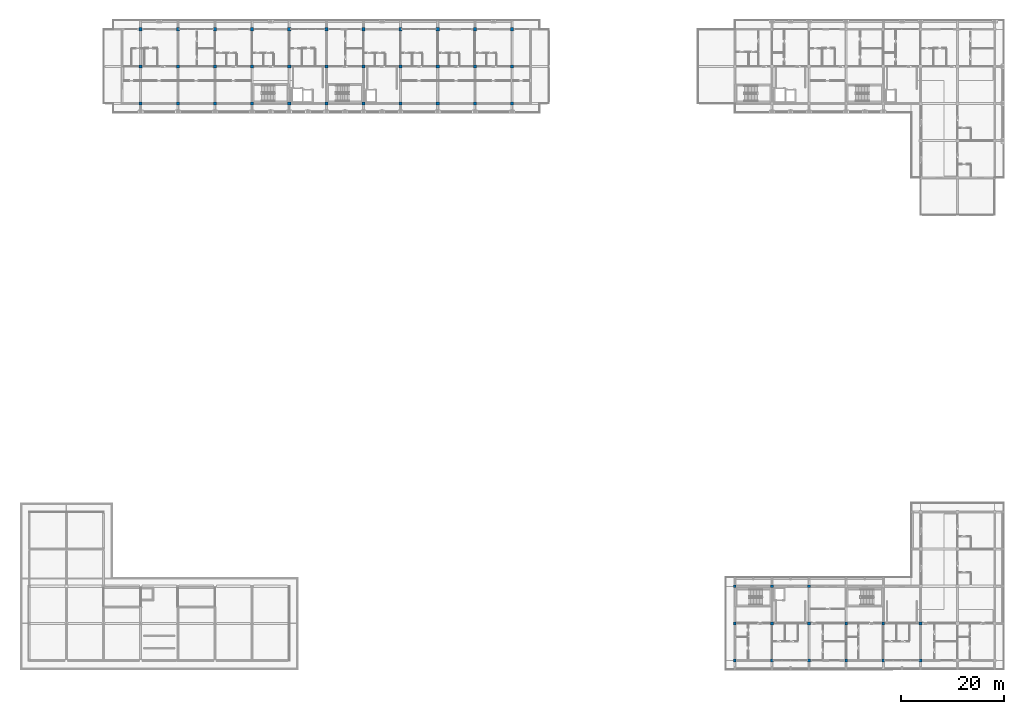
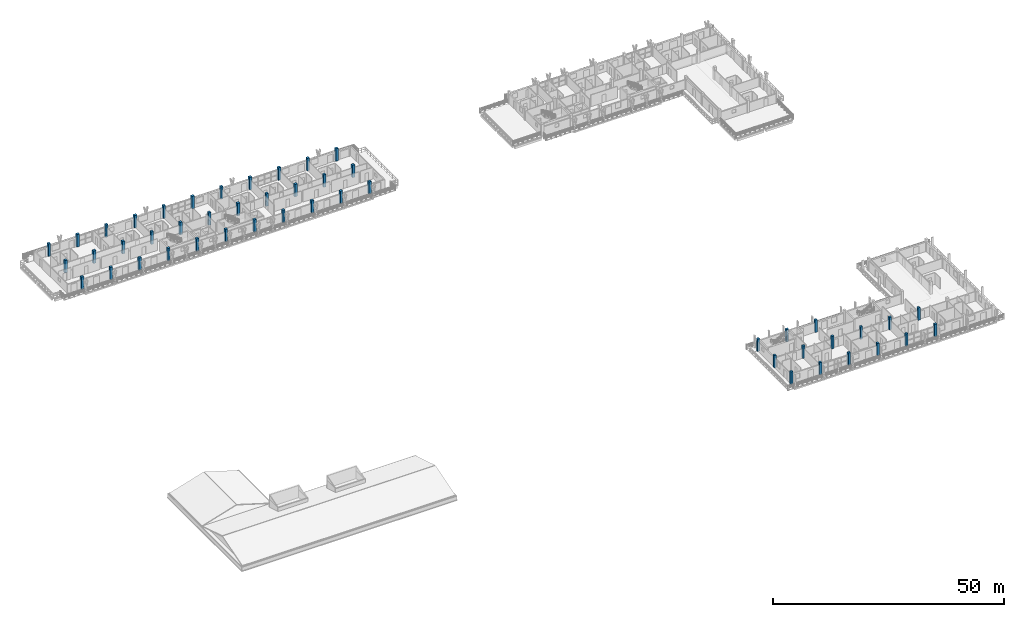
# One storey, part 3 of 60: 48 columns.
"""IFC4 building model written with IfcOpenShell, lengths in metres."""

from ifc_helpers import new_model, si_unit, direction, frame, origin, origin_2d, place, context, subcontext, project, spatial, rectangle, extrude, material, material_profile, profile_set, type_object, element, save


model = new_model("IFC4")

# Units and contexts
model_context = context("Model", 3, precision=1e-05, world=origin(), true_north=direction((0.0, 1.0)))
body_context = subcontext(model_context, "Body", "Model", "MODEL_VIEW")
ifc_project = project(units=[si_unit("LENGTHUNIT", "METRE"), si_unit("AREAUNIT", "SQUARE_METRE"), si_unit("VOLUMEUNIT", "CUBIC_METRE"), si_unit("PLANEANGLEUNIT", "RADIAN"), si_unit("MASSUNIT", "GRAM", prefix="KILO")], contexts=[model_context])

# Site, building, storey
site_placement = place(None, origin())
site = spatial("IfcSite", under=ifc_project, at=site_placement, CompositionType="ELEMENT")
building_placement = place(site_placement, origin())
building = spatial("IfcBuilding", under=site, at=building_placement, Name="Suanplinth Sawtooth Commons", CompositionType="ELEMENT")
storey_placement = place(building_placement, frame((0.0, 0.0, 31.5)))
storey = spatial("IfcBuildingStorey", under=building, at=storey_placement, Name="L09", CompositionType="ELEMENT", Elevation=31.5)

# Columns
ifc_material = material(Name="Precast concrete C40/50", Category="concrete")
ifc_material_profile_1 = material_profile(ifc_material, rectangle(XDim=0.60009765625, YDim=0.60009765625, at=origin_2d()), Name="PC-COL 600x600")
ifc_profile_set_1 = profile_set([ifc_material_profile_1], Name="Precast concrete C40/50")
column_type_1 = type_object("IfcColumnType", Name="C-04", PredefinedType="COLUMN", material=ifc_profile_set_1)
for number, where, z_axis, x_axis, name in (
    (1, (21.60009765625, 108.0, 0.0), (0.0, 0.0, 1.0), (1.0, 0.0, 0.0), "Column L09 4/R"),
    (2, (21.60009765625, 115.199951171875, 0.0), (0.0, 0.0, 1.0), (1.0, 0.0, 0.0), "Column L09 4/S"),
    (3, (21.60009765625, 122.39990234375, 0.0), (0.0, 0.0, 1.0), (1.0, 0.0, 0.0), "Column L09 4/T"),
    (4, (28.800048828125, 108.0, 0.0), (0.0, 0.0, 1.0), (1.0, 0.0, 0.0), "Column L09 5/R"),
    (5, (28.800048828125, 115.199951171875, 0.0), (0.0, 0.0, 1.0), (1.0, 0.0, 0.0), "Column L09 5/S"),
    (6, (28.800048828125, 122.39990234375, 0.0), (0.0, 0.0, 1.0), (1.0, 0.0, 0.0), "Column L09 5/T"),
    (7, (36.0, 108.0, 0.0), (0.0, 0.0, 1.0), (1.0, 0.0, 0.0), "Column L09 6/R"),
    (8, (36.0, 115.199951171875, 0.0), (0.0, 0.0, 1.0), (1.0, 0.0, 0.0), "Column L09 6/S"),
    (9, (36.0, 122.39990234375, 0.0), (0.0, 0.0, 1.0), (1.0, 0.0, 0.0), "Column L09 6/T"),
    (10, (43.199951171875, 108.0, 0.0), (0.0, 0.0, 1.0), (1.0, 0.0, 0.0), "Column L09 7/R"),
    (11, (43.199951171875, 115.199951171875, 0.0), (0.0, 0.0, 1.0), (1.0, 0.0, 0.0), "Column L09 7/S"),
    (12, (43.199951171875, 122.39990234375, 0.0), (0.0, 0.0, 1.0), (1.0, 0.0, 0.0), "Column L09 7/T"),
    (13, (50.39990234375, 108.0, 0.0), (0.0, 0.0, 1.0), (1.0, 0.0, 0.0), "Column L09 8/R"),
    (14, (50.39990234375, 115.199951171875, 0.0), (0.0, 0.0, 1.0), (1.0, 0.0, 0.0), "Column L09 8/S"),
    (15, (50.39990234375, 122.39990234375, 0.0), (0.0, 0.0, 1.0), (1.0, 0.0, 0.0), "Column L09 8/T"),
    (16, (57.60009765625, 108.0, 0.0), (0.0, 0.0, 1.0), (1.0, 0.0, 0.0), "Column L09 9/R"),
    (17, (57.60009765625, 115.199951171875, 0.0), (0.0, 0.0, 1.0), (1.0, 0.0, 0.0), "Column L09 9/S"),
    (18, (57.60009765625, 122.39990234375, 0.0), (0.0, 0.0, 1.0), (1.0, 0.0, 0.0), "Column L09 9/T"),
    (19, (64.800048828125, 108.0, 0.0), (0.0, 0.0, 1.0), (1.0, 0.0, 0.0), "Column L09 10/R"),
    (20, (64.800048828125, 115.199951171875, 0.0), (0.0, 0.0, 1.0), (1.0, 0.0, 0.0), "Column L09 10/S"),
    (21, (64.800048828125, 122.39990234375, 0.0), (0.0, 0.0, 1.0), (1.0, 0.0, 0.0), "Column L09 10/T"),
    (22, (72.0, 108.0, 0.0), (0.0, 0.0, 1.0), (1.0, 0.0, 0.0), "Column L09 11/R"),
    (23, (72.0, 115.199951171875, 0.0), (0.0, 0.0, 1.0), (1.0, 0.0, 0.0), "Column L09 11/S"),
    (24, (72.0, 122.39990234375, 0.0), (0.0, 0.0, 1.0), (1.0, 0.0, 0.0), "Column L09 11/T"),
    (25, (79.199951171875, 108.0, 0.0), (0.0, 0.0, 1.0), (1.0, 0.0, 0.0), "Column L09 12/R"),
    (26, (79.199951171875, 115.199951171875, 0.0), (0.0, 0.0, 1.0), (1.0, 0.0, 0.0), "Column L09 12/S"),
    (27, (79.199951171875, 122.39990234375, 0.0), (0.0, 0.0, 1.0), (1.0, 0.0, 0.0), "Column L09 12/T"),
    (28, (86.39990234375, 108.0, 0.0), (0.0, 0.0, 1.0), (1.0, 0.0, 0.0), "Column L09 13/R"),
    (29, (86.39990234375, 115.199951171875, 0.0), (0.0, 0.0, 1.0), (1.0, 0.0, 0.0), "Column L09 13/S"),
    (30, (86.39990234375, 122.39990234375, 0.0), (0.0, 0.0, 1.0), (1.0, 0.0, 0.0), "Column L09 13/T"),
    (31, (93.60009765625, 108.0, 0.0), (0.0, 0.0, 1.0), (1.0, 0.0, 0.0), "Column L09 14/R"),
    (32, (93.60009765625, 115.199951171875, 0.0), (0.0, 0.0, 1.0), (1.0, 0.0, 0.0), "Column L09 14/S"),
    (33, (93.60009765625, 122.39990234375, 0.0), (0.0, 0.0, 1.0), (1.0, 0.0, 0.0), "Column L09 14/T"),
):
    element("IfcColumn", number, at=place(storey_placement, frame(where, z_axis=z_axis, x_axis=x_axis)), inside=storey, type_object=column_type_1, Name=name, PredefinedType="COLUMN", context=body_context, shape_type="SweptSolid", body=[
        extrude(rectangle(XDim=0.60009765625, YDim=0.60009765625, at=origin_2d()), origin(), (0.0, 0.0, 1.0), 3.300048828125),
    ])
ifc_material_profile_2 = material_profile(ifc_material, rectangle(XDim=0.550048828125, YDim=0.550048828125, at=origin_2d()), Name="PC-COL 550x550")
ifc_profile_set_2 = profile_set([ifc_material_profile_2], Name="Precast concrete C40/50")
column_type_2 = type_object("IfcColumnType", Name="C-05", PredefinedType="COLUMN", material=ifc_profile_set_2)
for number, where, z_axis, x_axis, name in (
    (34, (136.800048828125, 0.0, 0.0), (0.0, 0.0, 1.0), (1.0, 0.0, 0.0), "Column L09 20/A"),
    (35, (136.800048828125, 7.199951171875, 0.0), (0.0, 0.0, 1.0), (1.0, 0.0, 0.0), "Column L09 20/B"),
    (36, (136.800048828125, 14.39990234375, 0.0), (0.0, 0.0, 1.0), (1.0, 0.0, 0.0), "Column L09 20/C"),
    (37, (144.0, 0.0, 0.0), (0.0, 0.0, 1.0), (1.0, 0.0, 0.0), "Column L09 21/A"),
    (38, (144.0, 7.199951171875, 0.0), (0.0, 0.0, 1.0), (1.0, 0.0, 0.0), "Column L09 21/B"),
    (39, (144.0, 14.39990234375, 0.0), (0.0, 0.0, 1.0), (1.0, 0.0, 0.0), "Column L09 21/C"),
    (40, (151.199951171875, 0.0, 0.0), (0.0, 0.0, 1.0), (1.0, 0.0, 0.0), "Column L09 22/A"),
    (41, (151.199951171875, 7.199951171875, 0.0), (0.0, 0.0, 1.0), (1.0, 0.0, 0.0), "Column L09 22/B"),
    (42, (151.199951171875, 14.39990234375, 0.0), (0.0, 0.0, 1.0), (1.0, 0.0, 0.0), "Column L09 22/C"),
    (43, (158.39990234375, 0.0, 0.0), (0.0, 0.0, 1.0), (1.0, 0.0, 0.0), "Column L09 23/A"),
    (44, (158.39990234375, 7.199951171875, 0.0), (0.0, 0.0, 1.0), (1.0, 0.0, 0.0), "Column L09 23/B"),
    (45, (165.60009765625, 0.0, 0.0), (0.0, 0.0, 1.0), (1.0, 0.0, 0.0), "Column L09 24/A"),
    (46, (165.60009765625, 7.199951171875, 0.0), (0.0, 0.0, 1.0), (1.0, 0.0, 0.0), "Column L09 24/B"),
    (47, (172.800048828125, 0.0, 0.0), (0.0, 0.0, 1.0), (1.0, 0.0, 0.0), "Column L09 25/A"),
    (48, (172.800048828125, 7.199951171875, 0.0), (0.0, 0.0, 1.0), (1.0, 0.0, 0.0), "Column L09 25/B"),
):
    element("IfcColumn", number, at=place(storey_placement, frame(where, z_axis=z_axis, x_axis=x_axis)), inside=storey, type_object=column_type_2, Name=name, PredefinedType="COLUMN", context=body_context, shape_type="SweptSolid", body=[
        extrude(rectangle(XDim=0.550048828125, YDim=0.550048828125, at=origin_2d()), origin(), (0.0, 0.0, 1.0), 3.300048828125),
    ])

save(model, "model.ifc")
